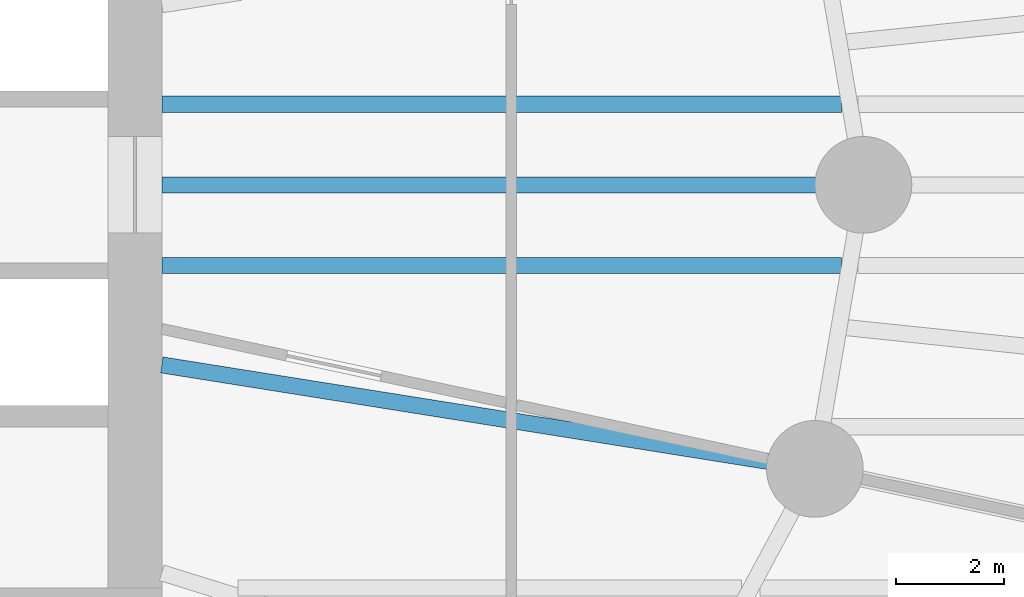
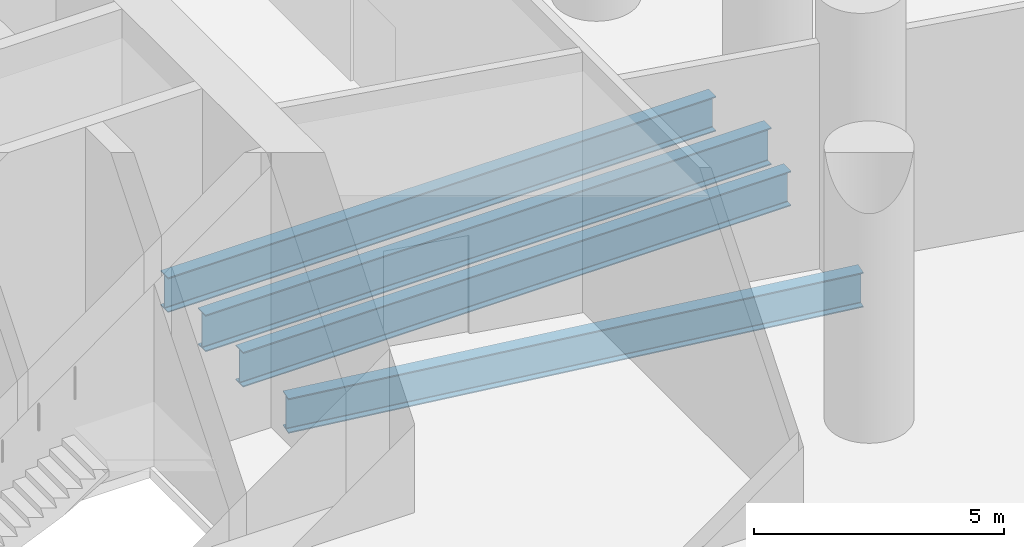
# One storey, part 6 of 22: 4 beams.
"""IFC4 building model written with IfcOpenShell, lengths in metres."""

import ifcopenshell
import ifcopenshell.guid

model = None  # the IFC model being written
_history = None  # IfcOwnerHistory: only IFC2X3 demands one
_inside = {}  # id of a spatial element -> (the spatial element, [elements in it])
_under = {}  # id of a project, library or spatial element -> (it, [spatial elements below it])
_declared = {}  # id of a project -> (the project, [libraries it declares])
_typed = {}  # id of a type object -> (the type object, [elements of that type])
_made_of = {}  # id of a material, layer set ... -> (it, [elements and type objects made of it])


def new_model(schema):
    """Start an empty IFC model of exactly this schema.

    Asked for "IFC4X3", IfcOpenShell would pick the latest addendum, in which some entities
    have other attributes; the version numbers below select the first issue.
    IFC2X3 requires an IfcOwnerHistory on every rooted entity: one is made here for all.
    """
    global model, _history
    if schema == "IFC4X3":
        model = ifcopenshell.file(schema_version=(4, 3, 0, 0))
    else:
        model = ifcopenshell.file(schema=schema)
    _inside.clear()
    _under.clear()
    _declared.clear()
    _typed.clear()
    _made_of.clear()
    _history = None
    if model.schema == "IFC2X3":
        org = make("IfcOrganization", Name="unknown")
        user = make(
            "IfcPersonAndOrganization",
            ThePerson=make("IfcPerson", FamilyName="unknown"),
            TheOrganization=org,
        )
        app = make(
            "IfcApplication",
            ApplicationDeveloper=org,
            Version="unknown",
            ApplicationFullName="unknown",
            ApplicationIdentifier="unknown",
        )
        _history = make(
            "IfcOwnerHistory",
            OwningUser=user,
            OwningApplication=app,
            ChangeAction="ADDED",
            CreationDate=0,
        )
    return model


def make(cls, **values):
    """One entity of the class cls with the attributes given. An attribute that is None is left unset."""
    return model.create_entity(
        cls, **{name: value for name, value in values.items() if value is not None}
    )


def rooted(cls, **values):
    """An entity with a GlobalId (a new one), such as an element, a storey or a relation."""
    return make(cls, GlobalId=ifcopenshell.guid.new(), OwnerHistory=_history, **values)


def si_unit(unit_type, name, prefix=None):
    """IfcSIUnit, for example si_unit("LENGTHUNIT", "METRE", prefix="MILLI")."""
    return make("IfcSIUnit", UnitType=unit_type, Prefix=prefix, Name=name)


def assignment(units):
    """IfcUnitAssignment: the units of a project."""
    return None if units is None else make("IfcUnitAssignment", Units=units)


def point(xyz):
    """IfcCartesianPoint."""
    return None if xyz is None else make("IfcCartesianPoint", Coordinates=xyz)


def direction(xyz):
    """IfcDirection."""
    return None if xyz is None else make("IfcDirection", DirectionRatios=xyz)


def frame(location, z_axis=None, x_axis=None):
    """IfcAxis2Placement3D, a coordinate frame: its origin and axes. An axis left out is left unset."""
    return make(
        "IfcAxis2Placement3D",
        Location=point(location),
        Axis=direction(z_axis),
        RefDirection=direction(x_axis),
    )


def frame_2d(location, x_axis=None):
    """IfcAxis2Placement2D, a coordinate frame in the plane: its origin and x axis."""
    return make(
        "IfcAxis2Placement2D", Location=point(location), RefDirection=direction(x_axis)
    )


def origin():
    """The frame at (0, 0, 0) with its axes left unset."""
    return frame((0.0, 0.0, 0.0))


def origin_2d():
    """The frame at (0, 0) in the plane with its x axis left unset."""
    return frame_2d((0.0, 0.0))


def place(relative_to, where):
    """IfcLocalPlacement: puts the frame where relative to a parent placement (None: the world)."""
    return make(
        "IfcLocalPlacement", PlacementRelTo=relative_to, RelativePlacement=where
    )


def context(
    kind, dimensions, precision=None, world=None, true_north=None, identifier=None
):
    """IfcGeometricRepresentationContext, for example the 3D "Model" context."""
    return make(
        "IfcGeometricRepresentationContext",
        ContextIdentifier=identifier,
        ContextType=kind,
        CoordinateSpaceDimension=dimensions,
        Precision=precision,
        WorldCoordinateSystem=world,
        TrueNorth=true_north,
    )


def subcontext(parent, identifier, kind, view, scale=None):
    """IfcGeometricRepresentationSubContext, for example "Body" below "Model"."""
    return make(
        "IfcGeometricRepresentationSubContext",
        ContextIdentifier=identifier,
        ContextType=kind,
        ParentContext=parent,
        TargetScale=scale,
        TargetView=view,
    )


def project(units=None, contexts=None):
    """IfcProject with its units and contexts."""
    return rooted(
        "IfcProject",
        Name="project",
        RepresentationContexts=contexts,
        UnitsInContext=assignment(units),
    )


def spatial(cls, under=None, at=None, **own):
    """A site, building, storey or space (cls), placed at a placement, below another one or the project."""
    s = rooted(cls, ObjectPlacement=at, **own)
    if under is not None:
        _under.setdefault(under.id(), (under, []))[1].append(s)
    return s


def profile(cls, at=None, kind="AREA", **sizes):
    """A parametric profile (cls). Its sizes go by their IFC names, for example OverallWidth=200.0."""
    return make(cls, ProfileType=kind, Position=at, **sizes)


def i_section(**sizes):
    """IfcIShapeProfileDef."""
    return profile("IfcIShapeProfileDef", **sizes)


def extrude(swept, where, along, depth):
    """IfcExtrudedAreaSolid: the profile swept, set in the frame where, extruded along a direction by depth."""
    return make(
        "IfcExtrudedAreaSolid",
        SweptArea=swept,
        Position=where,
        ExtrudedDirection=direction(along),
        Depth=depth,
    )


def shape(context_of_items, identifier, shape_type, items):
    """IfcShapeRepresentation: the items that make up one representation, for example the "Body"."""
    return make(
        "IfcShapeRepresentation",
        ContextOfItems=context_of_items,
        RepresentationIdentifier=identifier,
        RepresentationType=shape_type,
        Items=items,
    )


def material(Name=None, Category=None):
    """IfcMaterial."""
    return make("IfcMaterial", Name=Name, Category=Category)


def material_profile(
    of_material, cross_section, Name=None, Category=None, Priority=None
):
    """IfcMaterialProfile: a cross section and its material."""
    return make(
        "IfcMaterialProfile",
        Name=Name,
        Material=of_material,
        Profile=cross_section,
        Priority=Priority,
        Category=Category,
    )


def profile_set(profiles, Name=None, composite=None):
    """IfcMaterialProfileSet."""
    return make(
        "IfcMaterialProfileSet",
        Name=Name,
        MaterialProfiles=profiles,
        CompositeProfile=composite,
    )


def made_of(thing, what):
    """Note that an element or type object is made of a material, layer set ...; save() writes the relation."""
    if what is not None:
        _made_of.setdefault(what.id(), (what, []))[1].append(thing)
    return thing


def type_object(cls, material=None, **own):
    """A type object (cls), such as IfcWallType, which elements share."""
    return made_of(rooted(cls, **own), material)


def element(
    cls,
    number,
    at=None,
    inside=None,
    cuts=None,
    type_object=None,
    material=None,
    context=None,
    identifier="Body",
    shape_type=None,
    held_by="IfcProductDefinitionShape",
    body=None,
    shapes=None,
    **own,
):
    """One element of the class cls, such as IfcWall. Its Tag is "e" and its number.

    at: its placement. inside: the storey or other place that contains it. cuts: it is an
    opening in that element (IfcRelVoidsElement). A single representation is given by context,
    identifier, shape_type and body (its items); several are given by shapes. held_by: the class
    of the entity that holds the representations. save() writes the other relations.
    """
    e = rooted(cls, Tag="e%d" % number, ObjectPlacement=at, **own)
    if body is not None:
        shapes = [shape(context, identifier, shape_type, body)]
    if shapes is not None:
        e.Representation = make(held_by, Representations=shapes)
    if inside is not None:
        _inside.setdefault(inside.id(), (inside, []))[1].append(e)
    if cuts is not None:
        rooted(
            "IfcRelVoidsElement", RelatingBuildingElement=cuts, RelatedOpeningElement=e
        )
    if type_object is not None:
        _typed.setdefault(type_object.id(), (type_object, []))[1].append(e)
    return made_of(e, material)


def aggregate(whole, parts):
    """IfcRelAggregates: a whole, such as a stair, and the parts it consists of."""
    return rooted("IfcRelAggregates", RelatingObject=whole, RelatedObjects=parts)


def save(model, path):
    """Write the relations noted so far, then the file.

    IfcRelAggregates (storeys below a building ...), IfcRelContainedInSpatialStructure (elements
    in a storey), IfcRelDefinesByType, IfcRelAssociatesMaterial and IfcRelDeclares: one each for
    every whole, place, type object, material and project.
    """
    for whole, parts in _under.values():
        aggregate(whole, parts)
    for where, things in _inside.values():
        rooted(
            "IfcRelContainedInSpatialStructure",
            RelatedElements=things,
            RelatingStructure=where,
        )
    for kind, things in _typed.values():
        rooted("IfcRelDefinesByType", RelatedObjects=things, RelatingType=kind)
    for what, things in _made_of.values():
        rooted("IfcRelAssociatesMaterial", RelatedObjects=things, RelatingMaterial=what)
    for by, libraries in _declared.values():
        rooted("IfcRelDeclares", RelatingContext=by, RelatedDefinitions=libraries)
    model.write(path)


model = new_model("IFC4")

# Units and contexts
model_context = context("Model", 3, precision=1e-05, world=origin(), true_north=direction((0.0, 1.0)))
body_context = subcontext(model_context, "Body", "Model", "MODEL_VIEW")
ifc_project = project(units=[si_unit("LENGTHUNIT", "METRE"), si_unit("AREAUNIT", "SQUARE_METRE"), si_unit("VOLUMEUNIT", "CUBIC_METRE"), si_unit("PLANEANGLEUNIT", "RADIAN"), si_unit("MASSUNIT", "GRAM", prefix="KILO")], contexts=[model_context])

# Site, building, storey
site_placement = place(None, origin())
site = spatial("IfcSite", under=ifc_project, at=site_placement, CompositionType="ELEMENT")
building_placement = place(site_placement, origin())
building = spatial("IfcBuilding", under=site, at=building_placement, Name="Hankou Lantern Tower", CompositionType="ELEMENT")
storey_placement = place(building_placement, frame((0.0, 0.0, 7.199951171875)))
storey = spatial("IfcBuildingStorey", under=building, at=storey_placement, Name="L01", CompositionType="ELEMENT", Elevation=7.199951171875)

# Beams
ifc_material_1 = material(Name="Steel Q355B", Category="steel")
ifc_material_profile_1 = material_profile(ifc_material_1, i_section(OverallWidth=0.300048828125, OverallDepth=0.85009765625, WebThickness=0.01611328125, FlangeThickness=0.027099609375, FilletRadius=0.01806640625, at=origin_2d()), Name="HN850x300x16x27")
ifc_profile_set_1 = profile_set([ifc_material_profile_1], Name="Steel Q355B")
beam_type_1 = type_object("IfcBeamType", Name="RB12 RADIAL BEAM HN850x300x16x27", PredefinedType="BEAM", material=ifc_profile_set_1)
beam_1_placement = place(storey_placement, frame((12.5, -3.349365234375, -0.675048828125), z_axis=(0.987563081343, -0.157223281893, 0.0), x_axis=(0.157223281893, 0.987563081343, 0.0)))
element("IfcBeam", 1, at=beam_1_placement, inside=storey, type_object=beam_type_1, Name="Radial beam R24 L01", PredefinedType="BEAM", context=body_context, shape_type="SweptSolid", body=[
    extrude(i_section(OverallWidth=0.300048828125, OverallDepth=0.85009765625, WebThickness=0.01611328125, FlangeThickness=0.027099609375, FilletRadius=0.01806640625, at=origin_2d()), origin(), (0.0, 0.0, 1.0), 12.300048828125),
])
ifc_material_2 = material(Name="Steel Q355B", Category="steel")
ifc_material_profile_2 = material_profile(ifc_material_2, i_section(OverallWidth=0.300048828125, OverallDepth=0.89990234375, WebThickness=0.01611328125, FlangeThickness=0.028076171875, FilletRadius=0.01806640625, at=origin_2d()), Name="HN900x300x16x28")
ifc_profile_set_2 = profile_set([ifc_material_profile_2], Name="Steel Q355B")
beam_type_2 = type_object("IfcBeamType", Name="RB13 RADIAL BEAM HN900x300x16x28", PredefinedType="BEAM", material=ifc_profile_set_2)
beam_2_placement = place(storey_placement, frame((12.5, 0.0, -0.699951171875), z_axis=(1.0, 0.0, 0.0), x_axis=(0.0, 1.0, 0.0)))
element("IfcBeam", 2, at=beam_2_placement, inside=storey, type_object=beam_type_2, Name="Radial beam R01 L01", PredefinedType="BEAM", context=body_context, shape_type="SweptSolid", body=[
    extrude(i_section(OverallWidth=0.300048828125, OverallDepth=0.89990234375, WebThickness=0.01611328125, FlangeThickness=0.028076171875, FilletRadius=0.01806640625, at=origin_2d()), origin(), (0.0, 0.0, 1.0), 13.050048828125),
])
ifc_material_3 = material(Name="Steel Q355B", Category="steel")
ifc_material_profile_3 = material_profile(ifc_material_3, i_section(OverallWidth=0.300048828125, OverallDepth=0.85009765625, WebThickness=0.01611328125, FlangeThickness=0.027099609375, FilletRadius=0.01806640625, at=origin_2d()), Name="HN850x300x16x27")
ifc_profile_set_3 = profile_set([ifc_material_profile_3], Name="Steel Q355B")
beam_type_3 = type_object("IfcBeamType", Name="SB12 SECONDARY BEAM HN850x300x16x27", PredefinedType="JOIST", material=ifc_profile_set_3)
for number, where, z_axis, x_axis, name in (
    (3, (12.5, -1.5, -0.675048828125), (1.0, 0.0, 0.0), (0.0, 1.0, 0.0), "Floor joist J083 L01"),
    (4, (12.5, 1.5, -0.675048828125), (1.0, 0.0, 0.0), (0.0, 1.0, 0.0), "Floor joist J087 L01"),
):
    element("IfcBeam", number, at=place(storey_placement, frame(where, z_axis=z_axis, x_axis=x_axis)), inside=storey, type_object=beam_type_3, Name=name, PredefinedType="JOIST", context=body_context, shape_type="SweptSolid", body=[
        extrude(i_section(OverallWidth=0.300048828125, OverallDepth=0.85009765625, WebThickness=0.01611328125, FlangeThickness=0.027099609375, FilletRadius=0.01806640625, at=origin_2d()), origin(), (0.0, 0.0, 1.0), 12.641357421875),
    ])

save(model, "model.ifc")
